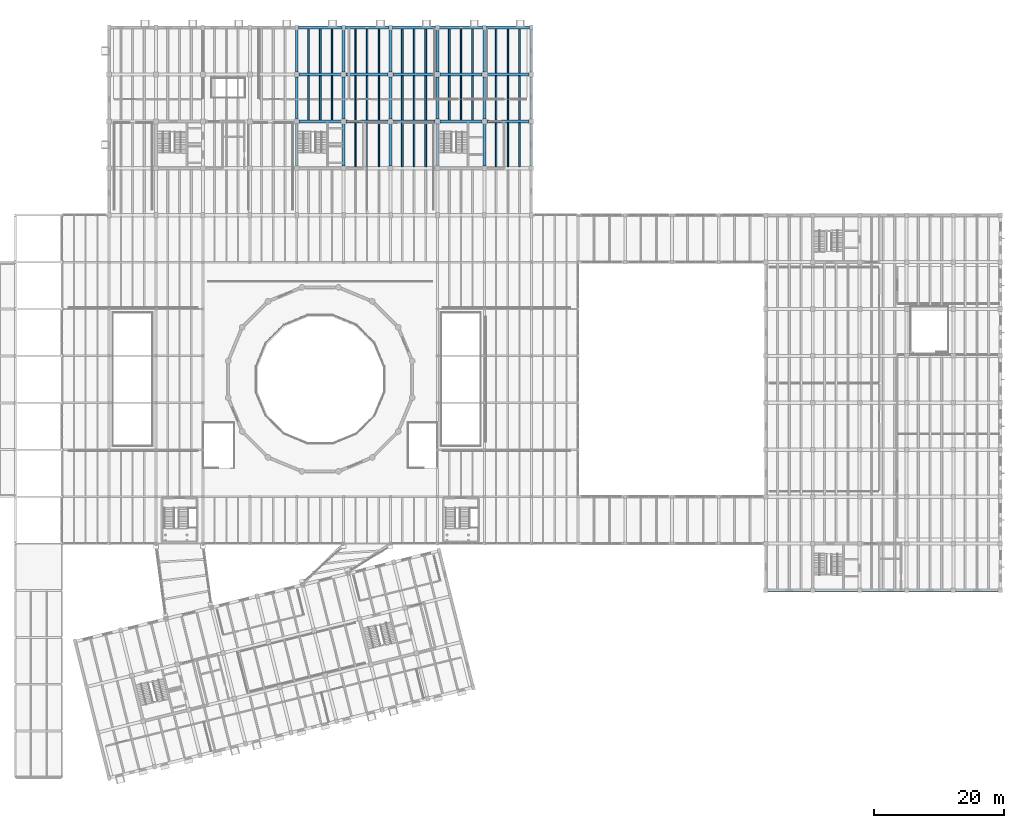
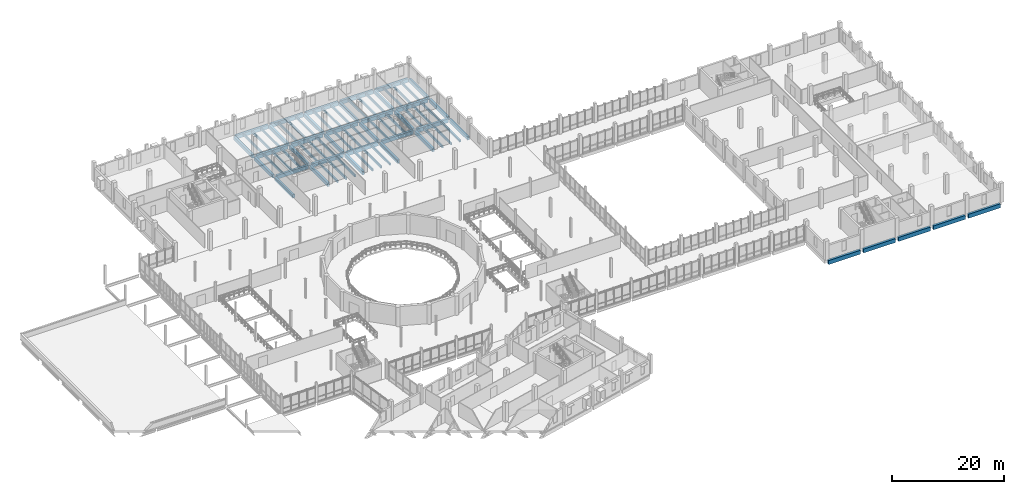
# One storey, part 37 of 72: 77 beams.
"""IFC4 building model written with IfcOpenShell, lengths in metres."""

from ifc_helpers import new_model, si_unit, direction, frame, origin, origin_2d, place, context, subcontext, project, spatial, rectangle, extrude, material, material_profile, profile_set, type_object, element, save


model = new_model("IFC4")

# Units and contexts
model_context = context("Model", 3, precision=1e-05, world=origin(), true_north=direction((0.0, 1.0)))
body_context = subcontext(model_context, "Body", "Model", "MODEL_VIEW")
ifc_project = project(units=[si_unit("LENGTHUNIT", "METRE"), si_unit("AREAUNIT", "SQUARE_METRE"), si_unit("VOLUMEUNIT", "CUBIC_METRE"), si_unit("PLANEANGLEUNIT", "RADIAN"), si_unit("MASSUNIT", "GRAM", prefix="KILO")], contexts=[model_context])

# Site, building, storey
site_placement = place(None, origin())
site = spatial("IfcSite", under=ifc_project, at=site_placement, CompositionType="ELEMENT")
building_placement = place(site_placement, origin())
building = spatial("IfcBuilding", under=site, at=building_placement, Name="Qiaolan Assembly House", CompositionType="ELEMENT")
storey_placement = place(building_placement, frame((0.0, 0.0, 10.199951171875)))
storey = spatial("IfcBuildingStorey", under=building, at=storey_placement, Name="L02", CompositionType="ELEMENT", Elevation=10.199951171875)

# Beams
ifc_material_1 = material(Name="Concrete C40/50", Category="concrete")
ifc_material_profile_1 = material_profile(ifc_material_1, rectangle(XDim=0.449951171875, YDim=0.75, at=origin_2d()), Name="RCB 450x750")
ifc_profile_set_1 = profile_set([ifc_material_profile_1], Name="Concrete C40/50")
beam_type_1 = type_object("IfcBeamType", Name="BM-RC-450x750", PredefinedType="BEAM", material=ifc_profile_set_1)
for number, where, z_axis, x_axis, name in (
    (1, (64.800048828125, 93.965087890625, -0.60498046875), (0.0, 1.0, 0.0), (-1.0, 0.0, 0.0), "GB-04 beam BMY-NW-L02-04-01"),
    (2, (64.800048828125, 101.1650390625, -0.60498046875), (0.0, 1.0, 0.0), (-1.0, 0.0, 0.0), "GB-04 beam BMY-NW-L02-04-02"),
):
    element("IfcBeam", number, at=place(storey_placement, frame(where, z_axis=z_axis, x_axis=x_axis)), inside=storey, type_object=beam_type_1, Name=name, PredefinedType="BEAM", context=body_context, shape_type="SweptSolid", body=[
        extrude(rectangle(XDim=0.449951171875, YDim=0.75, at=origin_2d()), origin(), (0.0, 0.0, 1.0), 6.469970703125),
    ])
beam_1_placement = place(storey_placement, frame((64.800048828125, 108.364990234375, -0.60498046875), z_axis=(0.0, 1.0, 0.0), x_axis=(-1.0, 0.0, 0.0)))
element("IfcBeam", 3, at=beam_1_placement, inside=storey, type_object=beam_type_1, Name="GB-04 beam BMY-NW-L02-04-03", PredefinedType="BEAM", context=body_context, shape_type="SweptSolid", body=[
    extrude(rectangle(XDim=0.449951171875, YDim=0.75, at=origin_2d()), origin(), (0.0, 0.0, 1.0), 6.570068359375),
])
for number, where, z_axis, x_axis, name in (
    (4, (72.0, 93.965087890625, -0.60498046875), (0.0, 1.0, 0.0), (-1.0, 0.0, 0.0), "GB-04 beam BMY-NW-L02-05-01"),
    (5, (72.0, 101.1650390625, -0.60498046875), (0.0, 1.0, 0.0), (-1.0, 0.0, 0.0), "GB-04 beam BMY-NW-L02-05-02"),
):
    element("IfcBeam", number, at=place(storey_placement, frame(where, z_axis=z_axis, x_axis=x_axis)), inside=storey, type_object=beam_type_1, Name=name, PredefinedType="BEAM", context=body_context, shape_type="SweptSolid", body=[
        extrude(rectangle(XDim=0.449951171875, YDim=0.75, at=origin_2d()), origin(), (0.0, 0.0, 1.0), 6.469970703125),
    ])
beam_2_placement = place(storey_placement, frame((72.0, 108.364990234375, -0.60498046875), z_axis=(0.0, 1.0, 0.0), x_axis=(-1.0, 0.0, 0.0)))
element("IfcBeam", 6, at=beam_2_placement, inside=storey, type_object=beam_type_1, Name="GB-04 beam BMY-NW-L02-05-03", PredefinedType="BEAM", context=body_context, shape_type="SweptSolid", body=[
    extrude(rectangle(XDim=0.449951171875, YDim=0.75, at=origin_2d()), origin(), (0.0, 0.0, 1.0), 6.570068359375),
])
for number, where, z_axis, x_axis, name in (
    (7, (79.199951171875, 93.965087890625, -0.60498046875), (0.0, 1.0, 0.0), (-1.0, 0.0, 0.0), "GB-04 beam BMY-NW-L02-06-01"),
    (8, (79.199951171875, 101.1650390625, -0.60498046875), (0.0, 1.0, 0.0), (-1.0, 0.0, 0.0), "GB-04 beam BMY-NW-L02-06-02"),
):
    element("IfcBeam", number, at=place(storey_placement, frame(where, z_axis=z_axis, x_axis=x_axis)), inside=storey, type_object=beam_type_1, Name=name, PredefinedType="BEAM", context=body_context, shape_type="SweptSolid", body=[
        extrude(rectangle(XDim=0.449951171875, YDim=0.75, at=origin_2d()), origin(), (0.0, 0.0, 1.0), 6.469970703125),
    ])
beam_3_placement = place(storey_placement, frame((79.199951171875, 108.364990234375, -0.60498046875), z_axis=(0.0, 1.0, 0.0), x_axis=(-1.0, 0.0, 0.0)))
element("IfcBeam", 9, at=beam_3_placement, inside=storey, type_object=beam_type_1, Name="GB-04 beam BMY-NW-L02-06-03", PredefinedType="BEAM", context=body_context, shape_type="SweptSolid", body=[
    extrude(rectangle(XDim=0.449951171875, YDim=0.75, at=origin_2d()), origin(), (0.0, 0.0, 1.0), 6.570068359375),
])
for number, where, z_axis, x_axis, name in (
    (10, (86.39990234375, 93.965087890625, -0.60498046875), (0.0, 1.0, 0.0), (-1.0, 0.0, 0.0), "GB-04 beam BMY-NW-L02-07-01"),
    (11, (86.39990234375, 101.1650390625, -0.60498046875), (0.0, 1.0, 0.0), (-1.0, 0.0, 0.0), "GB-04 beam BMY-NW-L02-07-02"),
):
    element("IfcBeam", number, at=place(storey_placement, frame(where, z_axis=z_axis, x_axis=x_axis)), inside=storey, type_object=beam_type_1, Name=name, PredefinedType="BEAM", context=body_context, shape_type="SweptSolid", body=[
        extrude(rectangle(XDim=0.449951171875, YDim=0.75, at=origin_2d()), origin(), (0.0, 0.0, 1.0), 6.469970703125),
    ])
beam_4_placement = place(storey_placement, frame((86.39990234375, 108.364990234375, -0.60498046875), z_axis=(0.0, 1.0, 0.0), x_axis=(-1.0, 0.0, 0.0)))
element("IfcBeam", 12, at=beam_4_placement, inside=storey, type_object=beam_type_1, Name="GB-04 beam BMY-NW-L02-07-03", PredefinedType="BEAM", context=body_context, shape_type="SweptSolid", body=[
    extrude(rectangle(XDim=0.449951171875, YDim=0.75, at=origin_2d()), origin(), (0.0, 0.0, 1.0), 6.570068359375),
])
for number, where, z_axis, x_axis, name in (
    (13, (93.60009765625, 93.965087890625, -0.60498046875), (0.0, 1.0, 0.0), (-1.0, 0.0, 0.0), "GB-04 beam BMY-NW-L02-08-01"),
    (14, (93.60009765625, 101.1650390625, -0.60498046875), (0.0, 1.0, 0.0), (-1.0, 0.0, 0.0), "GB-04 beam BMY-NW-L02-08-02"),
):
    element("IfcBeam", number, at=place(storey_placement, frame(where, z_axis=z_axis, x_axis=x_axis)), inside=storey, type_object=beam_type_1, Name=name, PredefinedType="BEAM", context=body_context, shape_type="SweptSolid", body=[
        extrude(rectangle(XDim=0.449951171875, YDim=0.75, at=origin_2d()), origin(), (0.0, 0.0, 1.0), 6.469970703125),
    ])
beam_5_placement = place(storey_placement, frame((93.60009765625, 108.364990234375, -0.60498046875), z_axis=(0.0, 1.0, 0.0), x_axis=(-1.0, 0.0, 0.0)))
element("IfcBeam", 15, at=beam_5_placement, inside=storey, type_object=beam_type_1, Name="GB-04 beam BMY-NW-L02-08-03", PredefinedType="BEAM", context=body_context, shape_type="SweptSolid", body=[
    extrude(rectangle(XDim=0.449951171875, YDim=0.75, at=origin_2d()), origin(), (0.0, 0.0, 1.0), 6.570068359375),
])
for number, where, z_axis, x_axis, name in (
    (16, (100.800048828125, 93.965087890625, -0.60498046875), (0.0, 1.0, 0.0), (-1.0, 0.0, 0.0), "GB-04 beam BMY-NW-L02-09-01"),
    (17, (100.800048828125, 101.1650390625, -0.60498046875), (0.0, 1.0, 0.0), (-1.0, 0.0, 0.0), "GB-04 beam BMY-NW-L02-09-02"),
):
    element("IfcBeam", number, at=place(storey_placement, frame(where, z_axis=z_axis, x_axis=x_axis)), inside=storey, type_object=beam_type_1, Name=name, PredefinedType="BEAM", context=body_context, shape_type="SweptSolid", body=[
        extrude(rectangle(XDim=0.449951171875, YDim=0.75, at=origin_2d()), origin(), (0.0, 0.0, 1.0), 6.469970703125),
    ])
beam_6_placement = place(storey_placement, frame((100.800048828125, 108.364990234375, -0.60498046875), z_axis=(0.0, 1.0, 0.0), x_axis=(-1.0, 0.0, 0.0)))
element("IfcBeam", 18, at=beam_6_placement, inside=storey, type_object=beam_type_1, Name="GB-04 beam BMY-NW-L02-09-03", PredefinedType="BEAM", context=body_context, shape_type="SweptSolid", body=[
    extrude(rectangle(XDim=0.449951171875, YDim=0.75, at=origin_2d()), origin(), (0.0, 0.0, 1.0), 6.570068359375),
])
ifc_material_2 = material(Name="Concrete C45/55", Category="concrete")
ifc_material_profile_2 = material_profile(ifc_material_2, rectangle(XDim=0.47998046875, YDim=0.820068359375, at=origin_2d()), Name="RCB 480x820")
ifc_profile_set_2 = profile_set([ifc_material_profile_2], Name="Concrete C45/55")
beam_type_2 = type_object("IfcBeamType", Name="BM-RC-480x820", PredefinedType="BEAM", material=ifc_profile_set_2)
for number, where, z_axis, x_axis, name in (
    (19, (65.1650390625, 100.800048828125, -0.639892578125), (1.0, 0.0, 0.0), (0.0, 1.0, 0.0), "GB-14 beam BMX-NW-L02-04-02"),
    (20, (72.364990234375, 100.800048828125, -0.639892578125), (1.0, 0.0, 0.0), (0.0, 1.0, 0.0), "GB-14 beam BMX-NW-L02-05-02"),
    (21, (79.56494140625, 100.800048828125, -0.639892578125), (1.0, 0.0, 0.0), (0.0, 1.0, 0.0), "GB-14 beam BMX-NW-L02-06-02"),
):
    element("IfcBeam", number, at=place(storey_placement, frame(where, z_axis=z_axis, x_axis=x_axis)), inside=storey, type_object=beam_type_2, Name=name, PredefinedType="BEAM", context=body_context, shape_type="SweptSolid", body=[
        extrude(rectangle(XDim=0.47998046875, YDim=0.820068359375, at=origin_2d()), origin(), (0.0, 0.0, 1.0), 6.469970703125),
    ])
beam_7_placement = place(storey_placement, frame((86.764892578125, 100.800048828125, -0.639892578125), z_axis=(1.0, 0.0, 0.0), x_axis=(0.0, 1.0, 0.0)))
element("IfcBeam", 22, at=beam_7_placement, inside=storey, type_object=beam_type_2, Name="GB-14 beam BMX-NW-L02-07-02", PredefinedType="BEAM", context=body_context, shape_type="SweptSolid", body=[
    extrude(rectangle(XDim=0.47998046875, YDim=0.820068359375, at=origin_2d()), origin(), (0.0, 0.0, 1.0), 6.47021484375),
])
for number, where, z_axis, x_axis, name in (
    (23, (93.965087890625, 100.800048828125, -0.639892578125), (1.0, 0.0, 0.0), (0.0, 1.0, 0.0), "GB-14 beam BMX-NW-L02-08-02"),
    (24, (65.1650390625, 108.0, -0.639892578125), (1.0, 0.0, 0.0), (0.0, 1.0, 0.0), "GB-14 beam BMX-NW-L02-04-03"),
    (25, (72.364990234375, 108.0, -0.639892578125), (1.0, 0.0, 0.0), (0.0, 1.0, 0.0), "GB-14 beam BMX-NW-L02-05-03"),
    (26, (79.56494140625, 108.0, -0.639892578125), (1.0, 0.0, 0.0), (0.0, 1.0, 0.0), "GB-14 beam BMX-NW-L02-06-03"),
):
    element("IfcBeam", number, at=place(storey_placement, frame(where, z_axis=z_axis, x_axis=x_axis)), inside=storey, type_object=beam_type_2, Name=name, PredefinedType="BEAM", context=body_context, shape_type="SweptSolid", body=[
        extrude(rectangle(XDim=0.47998046875, YDim=0.820068359375, at=origin_2d()), origin(), (0.0, 0.0, 1.0), 6.469970703125),
    ])
beam_8_placement = place(storey_placement, frame((86.764892578125, 108.0, -0.639892578125), z_axis=(1.0, 0.0, 0.0), x_axis=(0.0, 1.0, 0.0)))
element("IfcBeam", 27, at=beam_8_placement, inside=storey, type_object=beam_type_2, Name="GB-14 beam BMX-NW-L02-07-03", PredefinedType="BEAM", context=body_context, shape_type="SweptSolid", body=[
    extrude(rectangle(XDim=0.47998046875, YDim=0.820068359375, at=origin_2d()), origin(), (0.0, 0.0, 1.0), 6.47021484375),
])
beam_9_placement = place(storey_placement, frame((93.965087890625, 108.0, -0.639892578125), z_axis=(1.0, 0.0, 0.0), x_axis=(0.0, 1.0, 0.0)))
element("IfcBeam", 28, at=beam_9_placement, inside=storey, type_object=beam_type_2, Name="GB-14 beam BMX-NW-L02-08-03", PredefinedType="BEAM", context=body_context, shape_type="SweptSolid", body=[
    extrude(rectangle(XDim=0.47998046875, YDim=0.820068359375, at=origin_2d()), origin(), (0.0, 0.0, 1.0), 6.469970703125),
])
for number, where, z_axis, x_axis, name in (
    (29, (65.06494140625, 115.199951171875, -0.639892578125), (1.0, 0.0, 0.0), (0.0, 1.0, 0.0), "GB-14 beam BMX-NW-L02-04-04"),
    (30, (72.264892578125, 115.199951171875, -0.639892578125), (1.0, 0.0, 0.0), (0.0, 1.0, 0.0), "GB-14 beam BMX-NW-L02-05-04"),
):
    element("IfcBeam", number, at=place(storey_placement, frame(where, z_axis=z_axis, x_axis=x_axis)), inside=storey, type_object=beam_type_2, Name=name, PredefinedType="BEAM", context=body_context, shape_type="SweptSolid", body=[
        extrude(rectangle(XDim=0.47998046875, YDim=0.820068359375, at=origin_2d()), origin(), (0.0, 0.0, 1.0), 6.670166015625),
    ])
for number, where, z_axis, x_axis, name in (
    (31, (79.465087890625, 115.199951171875, -0.639892578125), (1.0, 0.0, 0.0), (0.0, 1.0, 0.0), "GB-14 beam BMX-NW-L02-06-04"),
    (32, (86.6650390625, 115.199951171875, -0.639892578125), (1.0, 0.0, 0.0), (0.0, 1.0, 0.0), "GB-14 beam BMX-NW-L02-07-04"),
    (33, (93.864990234375, 115.199951171875, -0.639892578125), (1.0, 0.0, 0.0), (0.0, 1.0, 0.0), "GB-14 beam BMX-NW-L02-08-04"),
):
    element("IfcBeam", number, at=place(storey_placement, frame(where, z_axis=z_axis, x_axis=x_axis)), inside=storey, type_object=beam_type_2, Name=name, PredefinedType="BEAM", context=body_context, shape_type="SweptSolid", body=[
        extrude(rectangle(XDim=0.47998046875, YDim=0.820068359375, at=origin_2d()), origin(), (0.0, 0.0, 1.0), 6.669921875),
    ])
ifc_material_profile_3 = material_profile(ifc_material_2, rectangle(XDim=0.5, YDim=0.85009765625, at=origin_2d()), Name="RCB 500x850")
ifc_profile_set_3 = profile_set([ifc_material_profile_3], Name="Concrete C45/55")
beam_type_3 = type_object("IfcBeamType", Name="BM-RC-500x850", PredefinedType="BEAM", material=ifc_profile_set_3)
for number, where, z_axis, x_axis, name in (
    (34, (137.139892578125, 28.800048828125, -0.695068359375), (1.0, 0.0, 0.0), (0.0, 1.0, 0.0), "GB-02 beam BMX-LB-L02-00-00"),
    (35, (144.340087890625, 28.800048828125, -0.695068359375), (1.0, 0.0, 0.0), (0.0, 1.0, 0.0), "GB-02 beam BMX-LB-L02-01-00"),
    (36, (151.5400390625, 28.800048828125, -0.695068359375), (1.0, 0.0, 0.0), (0.0, 1.0, 0.0), "GB-02 beam BMX-LB-L02-02-00"),
    (37, (158.739990234375, 28.800048828125, -0.695068359375), (1.0, 0.0, 0.0), (0.0, 1.0, 0.0), "GB-02 beam BMX-LB-L02-03-00"),
    (38, (165.93994140625, 28.800048828125, -0.695068359375), (1.0, 0.0, 0.0), (0.0, 1.0, 0.0), "GB-02 beam BMX-LB-L02-04-00"),
):
    element("IfcBeam", number, at=place(storey_placement, frame(where, z_axis=z_axis, x_axis=x_axis)), inside=storey, type_object=beam_type_3, Name=name, PredefinedType="BEAM", context=body_context, shape_type="SweptSolid", body=[
        extrude(rectangle(XDim=0.5, YDim=0.85009765625, at=origin_2d()), origin(), (0.0, 0.0, 1.0), 6.52001953125),
    ])
ifc_material_profile_4 = material_profile(ifc_material_1, rectangle(XDim=0.25, YDim=0.5, at=origin_2d()), Name="RCB 250x500")
ifc_profile_set_4 = profile_set([ifc_material_profile_4], Name="Concrete C40/50")
beam_type_4 = type_object("IfcBeamType", Name="JST-RC-250x500", PredefinedType="JOIST", material=ifc_profile_set_4)
for number, where, z_axis, x_axis, name in (
    (39, (66.60009765625, 101.033935546875, -0.47998046875), (0.0, 1.0, 0.0), (-1.0, 0.0, 0.0), "RJ-01 beam JST-NW-L02-04-02-1"),
    (40, (68.39990234375, 101.033935546875, -0.47998046875), (0.0, 1.0, 0.0), (-1.0, 0.0, 0.0), "RJ-01 beam JST-NW-L02-04-02-2"),
    (41, (70.199951171875, 101.033935546875, -0.47998046875), (0.0, 1.0, 0.0), (-1.0, 0.0, 0.0), "RJ-01 beam JST-NW-L02-04-02-3"),
    (42, (66.60009765625, 108.23388671875, -0.47998046875), (0.0, 1.0, 0.0), (-1.0, 0.0, 0.0), "RJ-01 beam JST-NW-L02-04-03-1"),
    (43, (68.39990234375, 108.23388671875, -0.47998046875), (0.0, 1.0, 0.0), (-1.0, 0.0, 0.0), "RJ-01 beam JST-NW-L02-04-03-2"),
    (44, (70.199951171875, 108.23388671875, -0.47998046875), (0.0, 1.0, 0.0), (-1.0, 0.0, 0.0), "RJ-01 beam JST-NW-L02-04-03-3"),
):
    element("IfcBeam", number, at=place(storey_placement, frame(where, z_axis=z_axis, x_axis=x_axis)), inside=storey, type_object=beam_type_4, Name=name, PredefinedType="JOIST", context=body_context, shape_type="SweptSolid", body=[
        extrude(rectangle(XDim=0.25, YDim=0.5, at=origin_2d()), origin(), (0.0, 0.0, 1.0), 6.732177734375),
    ])
for number, where, z_axis, x_axis, name in (
    (45, (73.800048828125, 93.833984375, -0.47998046875), (0.0, 1.0, 0.0), (-1.0, 0.0, 0.0), "RJ-01 beam JST-NW-L02-05-01-1"),
    (46, (75.60009765625, 93.833984375, -0.47998046875), (0.0, 1.0, 0.0), (-1.0, 0.0, 0.0), "RJ-01 beam JST-NW-L02-05-01-2"),
    (47, (77.39990234375, 93.833984375, -0.47998046875), (0.0, 1.0, 0.0), (-1.0, 0.0, 0.0), "RJ-01 beam JST-NW-L02-05-01-3"),
):
    element("IfcBeam", number, at=place(storey_placement, frame(where, z_axis=z_axis, x_axis=x_axis)), inside=storey, type_object=beam_type_4, Name=name, PredefinedType="JOIST", context=body_context, shape_type="SweptSolid", body=[
        extrude(rectangle(XDim=0.25, YDim=0.5, at=origin_2d()), origin(), (0.0, 0.0, 1.0), 6.73193359375),
    ])
for number, where, z_axis, x_axis, name in (
    (48, (73.800048828125, 101.033935546875, -0.47998046875), (0.0, 1.0, 0.0), (-1.0, 0.0, 0.0), "RJ-01 beam JST-NW-L02-05-02-1"),
    (49, (75.60009765625, 101.033935546875, -0.47998046875), (0.0, 1.0, 0.0), (-1.0, 0.0, 0.0), "RJ-01 beam JST-NW-L02-05-02-2"),
    (50, (77.39990234375, 101.033935546875, -0.47998046875), (0.0, 1.0, 0.0), (-1.0, 0.0, 0.0), "RJ-01 beam JST-NW-L02-05-02-3"),
    (51, (73.800048828125, 108.23388671875, -0.47998046875), (0.0, 1.0, 0.0), (-1.0, 0.0, 0.0), "RJ-01 beam JST-NW-L02-05-03-1"),
    (52, (75.60009765625, 108.23388671875, -0.47998046875), (0.0, 1.0, 0.0), (-1.0, 0.0, 0.0), "RJ-01 beam JST-NW-L02-05-03-2"),
    (53, (77.39990234375, 108.23388671875, -0.47998046875), (0.0, 1.0, 0.0), (-1.0, 0.0, 0.0), "RJ-01 beam JST-NW-L02-05-03-3"),
):
    element("IfcBeam", number, at=place(storey_placement, frame(where, z_axis=z_axis, x_axis=x_axis)), inside=storey, type_object=beam_type_4, Name=name, PredefinedType="JOIST", context=body_context, shape_type="SweptSolid", body=[
        extrude(rectangle(XDim=0.25, YDim=0.5, at=origin_2d()), origin(), (0.0, 0.0, 1.0), 6.732177734375),
    ])
for number, where, z_axis, x_axis, name in (
    (54, (81.0, 93.833984375, -0.47998046875), (0.0, 1.0, 0.0), (-1.0, 0.0, 0.0), "RJ-01 beam JST-NW-L02-06-01-1"),
    (55, (82.800048828125, 93.833984375, -0.47998046875), (0.0, 1.0, 0.0), (-1.0, 0.0, 0.0), "RJ-01 beam JST-NW-L02-06-01-2"),
    (56, (84.60009765625, 93.833984375, -0.47998046875), (0.0, 1.0, 0.0), (-1.0, 0.0, 0.0), "RJ-01 beam JST-NW-L02-06-01-3"),
):
    element("IfcBeam", number, at=place(storey_placement, frame(where, z_axis=z_axis, x_axis=x_axis)), inside=storey, type_object=beam_type_4, Name=name, PredefinedType="JOIST", context=body_context, shape_type="SweptSolid", body=[
        extrude(rectangle(XDim=0.25, YDim=0.5, at=origin_2d()), origin(), (0.0, 0.0, 1.0), 6.73193359375),
    ])
for number, where, z_axis, x_axis, name in (
    (57, (81.0, 101.033935546875, -0.47998046875), (0.0, 1.0, 0.0), (-1.0, 0.0, 0.0), "RJ-01 beam JST-NW-L02-06-02-1"),
    (58, (82.800048828125, 101.033935546875, -0.47998046875), (0.0, 1.0, 0.0), (-1.0, 0.0, 0.0), "RJ-01 beam JST-NW-L02-06-02-2"),
    (59, (84.60009765625, 101.033935546875, -0.47998046875), (0.0, 1.0, 0.0), (-1.0, 0.0, 0.0), "RJ-01 beam JST-NW-L02-06-02-3"),
    (60, (81.0, 108.23388671875, -0.47998046875), (0.0, 1.0, 0.0), (-1.0, 0.0, 0.0), "RJ-01 beam JST-NW-L02-06-03-1"),
    (61, (82.800048828125, 108.23388671875, -0.47998046875), (0.0, 1.0, 0.0), (-1.0, 0.0, 0.0), "RJ-01 beam JST-NW-L02-06-03-2"),
    (62, (84.60009765625, 108.23388671875, -0.47998046875), (0.0, 1.0, 0.0), (-1.0, 0.0, 0.0), "RJ-01 beam JST-NW-L02-06-03-3"),
    (63, (88.199951171875, 101.033935546875, -0.47998046875), (0.0, 1.0, 0.0), (-1.0, 0.0, 0.0), "RJ-01 beam JST-NW-L02-07-02-1"),
    (64, (90.0, 101.033935546875, -0.47998046875), (0.0, 1.0, 0.0), (-1.0, 0.0, 0.0), "RJ-01 beam JST-NW-L02-07-02-2"),
    (65, (91.800048828125, 101.033935546875, -0.47998046875), (0.0, 1.0, 0.0), (-1.0, 0.0, 0.0), "RJ-01 beam JST-NW-L02-07-02-3"),
    (66, (88.199951171875, 108.23388671875, -0.47998046875), (0.0, 1.0, 0.0), (-1.0, 0.0, 0.0), "RJ-01 beam JST-NW-L02-07-03-1"),
    (67, (90.0, 108.23388671875, -0.47998046875), (0.0, 1.0, 0.0), (-1.0, 0.0, 0.0), "RJ-01 beam JST-NW-L02-07-03-2"),
    (68, (91.800048828125, 108.23388671875, -0.47998046875), (0.0, 1.0, 0.0), (-1.0, 0.0, 0.0), "RJ-01 beam JST-NW-L02-07-03-3"),
):
    element("IfcBeam", number, at=place(storey_placement, frame(where, z_axis=z_axis, x_axis=x_axis)), inside=storey, type_object=beam_type_4, Name=name, PredefinedType="JOIST", context=body_context, shape_type="SweptSolid", body=[
        extrude(rectangle(XDim=0.25, YDim=0.5, at=origin_2d()), origin(), (0.0, 0.0, 1.0), 6.732177734375),
    ])
for number, where, z_axis, x_axis, name in (
    (69, (95.39990234375, 93.833984375, -0.47998046875), (0.0, 1.0, 0.0), (-1.0, 0.0, 0.0), "RJ-01 beam JST-NW-L02-08-01-1"),
    (70, (97.199951171875, 93.833984375, -0.47998046875), (0.0, 1.0, 0.0), (-1.0, 0.0, 0.0), "RJ-01 beam JST-NW-L02-08-01-2"),
    (71, (99.0, 93.833984375, -0.47998046875), (0.0, 1.0, 0.0), (-1.0, 0.0, 0.0), "RJ-01 beam JST-NW-L02-08-01-3"),
):
    element("IfcBeam", number, at=place(storey_placement, frame(where, z_axis=z_axis, x_axis=x_axis)), inside=storey, type_object=beam_type_4, Name=name, PredefinedType="JOIST", context=body_context, shape_type="SweptSolid", body=[
        extrude(rectangle(XDim=0.25, YDim=0.5, at=origin_2d()), origin(), (0.0, 0.0, 1.0), 6.73193359375),
    ])
for number, where, z_axis, x_axis, name in (
    (72, (95.39990234375, 101.033935546875, -0.47998046875), (0.0, 1.0, 0.0), (-1.0, 0.0, 0.0), "RJ-01 beam JST-NW-L02-08-02-1"),
    (73, (97.199951171875, 101.033935546875, -0.47998046875), (0.0, 1.0, 0.0), (-1.0, 0.0, 0.0), "RJ-01 beam JST-NW-L02-08-02-2"),
    (74, (99.0, 101.033935546875, -0.47998046875), (0.0, 1.0, 0.0), (-1.0, 0.0, 0.0), "RJ-01 beam JST-NW-L02-08-02-3"),
    (75, (95.39990234375, 108.23388671875, -0.47998046875), (0.0, 1.0, 0.0), (-1.0, 0.0, 0.0), "RJ-01 beam JST-NW-L02-08-03-1"),
    (76, (97.199951171875, 108.23388671875, -0.47998046875), (0.0, 1.0, 0.0), (-1.0, 0.0, 0.0), "RJ-01 beam JST-NW-L02-08-03-2"),
    (77, (99.0, 108.23388671875, -0.47998046875), (0.0, 1.0, 0.0), (-1.0, 0.0, 0.0), "RJ-01 beam JST-NW-L02-08-03-3"),
):
    element("IfcBeam", number, at=place(storey_placement, frame(where, z_axis=z_axis, x_axis=x_axis)), inside=storey, type_object=beam_type_4, Name=name, PredefinedType="JOIST", context=body_context, shape_type="SweptSolid", body=[
        extrude(rectangle(XDim=0.25, YDim=0.5, at=origin_2d()), origin(), (0.0, 0.0, 1.0), 6.732177734375),
    ])

save(model, "model.ifc")
